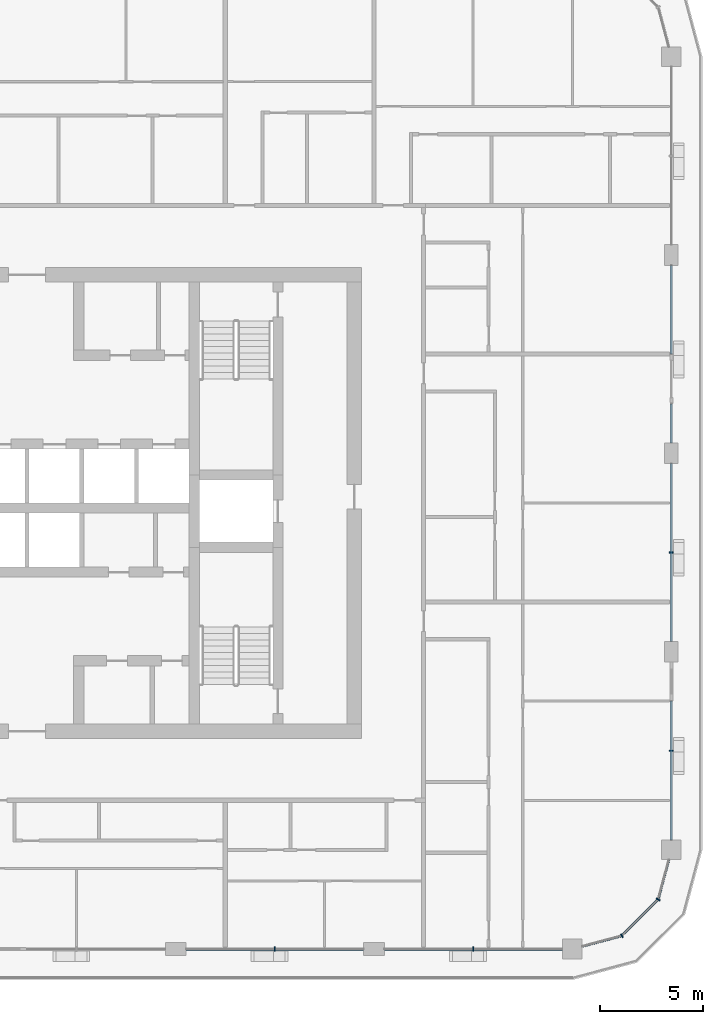
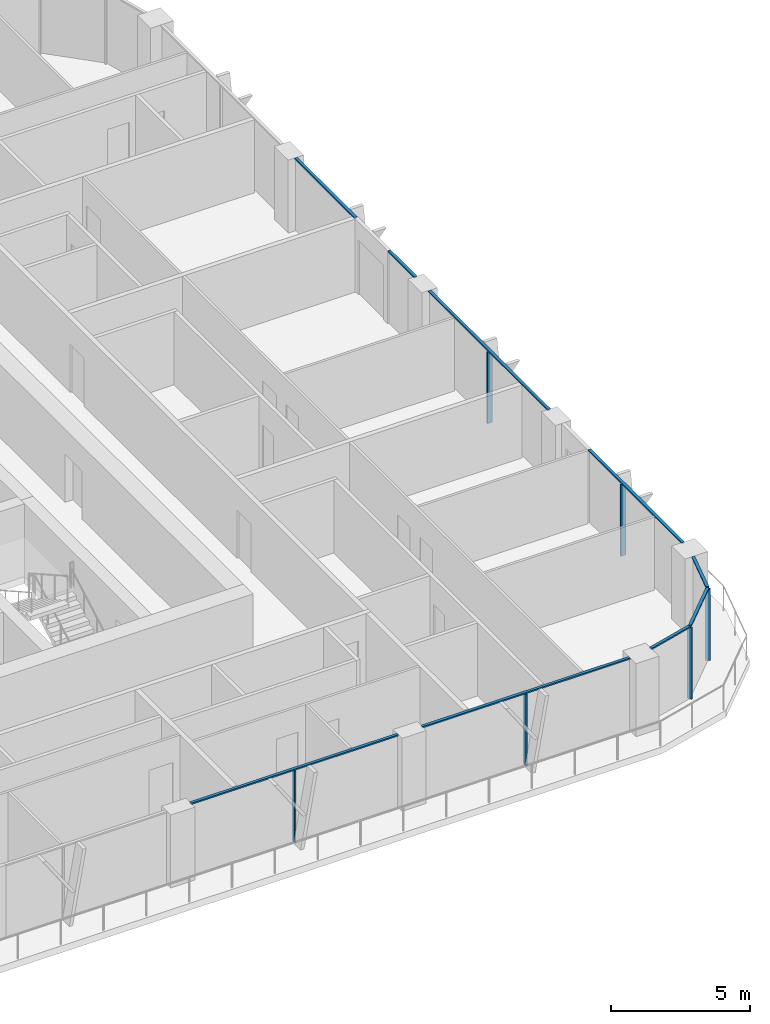
# One storey, part 4 of 23: 15 members, 6 elements without a shape of their own.
"""IFC4 building model written with IfcOpenShell, lengths in metres."""

from ifc_helpers import new_model, si_unit, direction, frame, origin, origin_2d, place, context, subcontext, project, spatial, rectangle, extrude, material, layer, layer_set, material_profile, profile_set, type_object, element, aggregate, save


model = new_model("IFC4")

# Units and contexts
model_context = context("Model", 3, precision=1e-05, world=origin(), true_north=direction((0.0, 1.0)))
body_context = subcontext(model_context, "Body", "Model", "MODEL_VIEW")
ifc_project = project(units=[si_unit("LENGTHUNIT", "METRE"), si_unit("AREAUNIT", "SQUARE_METRE"), si_unit("VOLUMEUNIT", "CUBIC_METRE"), si_unit("PLANEANGLEUNIT", "RADIAN"), si_unit("MASSUNIT", "GRAM", prefix="KILO")], contexts=[model_context])

# Site, building, storey
site_placement = place(None, origin())
site = spatial("IfcSite", under=ifc_project, at=site_placement, CompositionType="ELEMENT")
building_placement = place(site_placement, origin())
building = spatial("IfcBuilding", under=site, at=building_placement, Name="Madar Terraces", CompositionType="ELEMENT")
storey_placement = place(building_placement, frame((0.0, 0.0, 215.800048828125)))
storey = spatial("IfcBuildingStorey", under=building, at=storey_placement, Name="L56", CompositionType="ELEMENT", Elevation=215.800048828125)

# Curtain wall, member
ifc_material_1 = material(Name="Glass, ceramic frit dark grey, with black aluminium frame", Category="aluminium")
ifc_layer = layer(ifc_material_1, 0.199951171875)
ifc_layer_set = layer_set([ifc_layer], Name="Facade curtain wall, fritted glass")
curtain_wall_type = type_object("IfcCurtainWallType", Name="Facade curtain wall, fritted glass", PredefinedType="NOTDEFINED", material=ifc_layer_set)
curtain_wall_1_placement = place(storey_placement, origin())
curtain_wall_1 = element("IfcCurtainWall", 1, at=curtain_wall_1_placement, inside=storey, type_object=curtain_wall_type, Name="Outer skin curtain wall south bay 4", PredefinedType="NOTDEFINED")
ifc_material_2 = material(Name="Aluminium, black anodised", Category="aluminium")
ifc_material_profile_1 = material_profile(ifc_material_2, rectangle(XDim=0.199951171875, YDim=0.06005859375, at=origin_2d()), Name="Facade mullion 60x200")
ifc_profile_set_1 = profile_set([ifc_material_profile_1], Name="Aluminium, black anodised")
member_type_1 = type_object("IfcMemberType", Name="Facade mullion 60x200", PredefinedType="MULLION", material=ifc_profile_set_1)
member_1_placement = place(storey_placement, frame((43.199951171875, 4.800048828125, 0.0), z_axis=(0.0, 0.0, 1.0), x_axis=(0.0, 1.0, 0.0)))
member_1 = element("IfcMember", 2, at=member_1_placement, type_object=member_type_1, Name="Mullion 1", PredefinedType="MULLION", context=body_context, shape_type="SweptSolid", body=[
    extrude(rectangle(XDim=0.199951171875, YDim=0.06005859375, at=origin_2d()), origin(), (0.0, 0.0, 1.0), 3.139892578125),
])

curtain_wall_2_placement = place(storey_placement, origin())
curtain_wall_2 = element("IfcCurtainWall", 3, at=curtain_wall_2_placement, inside=storey, type_object=curtain_wall_type, Name="Outer skin curtain wall south bay 5", PredefinedType="NOTDEFINED")
member_2_placement = place(storey_placement, frame((52.800048828125, 4.800048828125, 0.0), z_axis=(0.0, 0.0, 1.0), x_axis=(0.0, 1.0, 0.0)))
member_2 = element("IfcMember", 4, at=member_2_placement, type_object=member_type_1, Name="Mullion 1", PredefinedType="MULLION", context=body_context, shape_type="SweptSolid", body=[
    extrude(rectangle(XDim=0.199951171875, YDim=0.06005859375, at=origin_2d()), origin(), (0.0, 0.0, 1.0), 3.139892578125),
])

curtain_wall_3_placement = place(storey_placement, origin())
curtain_wall_3 = element("IfcCurtainWall", 5, at=curtain_wall_3_placement, inside=storey, type_object=curtain_wall_type, Name="Outer skin curtain wall east bay 1", PredefinedType="NOTDEFINED")
member_3_placement = place(storey_placement, frame((62.39990234375, 14.39990234375, 0.0), z_axis=(0.0, 0.0, 1.0), x_axis=(-1.0, 0.0, 0.0)))
member_3 = element("IfcMember", 6, at=member_3_placement, type_object=member_type_1, Name="Mullion 1", PredefinedType="MULLION", context=body_context, shape_type="SweptSolid", body=[
    extrude(rectangle(XDim=0.199951171875, YDim=0.06005859375, at=origin_2d()), origin(), (0.0, 0.0, 1.0), 3.139892578125),
])

curtain_wall_4_placement = place(storey_placement, origin())
curtain_wall_4 = element("IfcCurtainWall", 7, at=curtain_wall_4_placement, inside=storey, type_object=curtain_wall_type, Name="Outer skin curtain wall east bay 2", PredefinedType="NOTDEFINED")
member_4_placement = place(storey_placement, frame((62.39990234375, 24.0, 0.0), z_axis=(0.0, 0.0, 1.0), x_axis=(-1.0, 0.0, 0.0)))
member_4 = element("IfcMember", 8, at=member_4_placement, type_object=member_type_1, Name="Mullion 1", PredefinedType="MULLION", context=body_context, shape_type="SweptSolid", body=[
    extrude(rectangle(XDim=0.199951171875, YDim=0.06005859375, at=origin_2d()), origin(), (0.0, 0.0, 1.0), 3.139892578125),
])

# Curtain wall, members
curtain_wall_5_placement = place(storey_placement, origin())
curtain_wall_5 = element("IfcCurtainWall", 9, at=curtain_wall_5_placement, inside=storey, type_object=curtain_wall_type, Name="Outer skin curtain wall south-east corner", PredefinedType="NOTDEFINED")
member_5_placement = place(storey_placement, frame((60.0, 5.443115234375, 0.0), z_axis=(0.0, 0.0, 1.0), x_axis=(-0.499999989586, 0.866025409797, 0.0)))
member_5 = element("IfcMember", 10, at=member_5_placement, type_object=member_type_1, Name="Mullion 1", PredefinedType="MULLION", context=body_context, shape_type="SweptSolid", body=[
    extrude(rectangle(XDim=0.199951171875, YDim=0.06005859375, at=origin_2d()), origin(), (0.0, 0.0, 1.0), 3.139892578125),
])
member_6_placement = place(storey_placement, frame((61.7568359375, 7.199951171875, 0.0), z_axis=(0.0, 0.0, 1.0), x_axis=(-0.866025409797, 0.499999989586, 0.0)))
member_6 = element("IfcMember", 11, at=member_6_placement, type_object=member_type_1, Name="Mullion 2", PredefinedType="MULLION", context=body_context, shape_type="SweptSolid", body=[
    extrude(rectangle(XDim=0.199951171875, YDim=0.06005859375, at=origin_2d()), origin(), (0.0, 0.0, 1.0), 3.139892578125),
])

# Member
ifc_material_3 = material(Name="Aluminium, black anodised", Category="aluminium")
ifc_material_profile_2 = material_profile(ifc_material_3, rectangle(XDim=0.1201171875, YDim=0.06005859375, at=origin_2d()), Name="Facade transom 60x120")
ifc_profile_set_2 = profile_set([ifc_material_profile_2], Name="Aluminium, black anodised")
member_type_2 = type_object("IfcMemberType", Name="Facade transom 60x120", PredefinedType="USERDEFINED", material=ifc_profile_set_2)
member_7_placement = place(storey_placement, frame((38.89990234375, 4.800048828125, 3.169921875), z_axis=(1.0, 0.0, 0.0), x_axis=(0.0, 1.0, 0.0)))
member_7 = element("IfcMember", 12, at=member_7_placement, type_object=member_type_2, Name="Transom 1", ObjectType="TRANSOM", PredefinedType="USERDEFINED", context=body_context, shape_type="SweptSolid", body=[
    extrude(rectangle(XDim=0.1201171875, YDim=0.06005859375, at=origin_2d()), origin(), (0.0, 0.0, 1.0), 8.60009765625),
])

aggregate(curtain_wall_1, [member_1, member_7])

member_8_placement = place(storey_placement, frame((48.5, 4.800048828125, 3.169921875), z_axis=(1.0, 0.0, 0.0), x_axis=(0.0, 1.0, 0.0)))
member_8 = element("IfcMember", 13, at=member_8_placement, type_object=member_type_2, Name="Transom 1", ObjectType="TRANSOM", PredefinedType="USERDEFINED", context=body_context, shape_type="SweptSolid", body=[
    extrude(rectangle(XDim=0.1201171875, YDim=0.06005859375, at=origin_2d()), origin(), (0.0, 0.0, 1.0), 8.625),
])

aggregate(curtain_wall_2, [member_2, member_8])

member_9_placement = place(storey_placement, frame((62.39990234375, 10.074951171875, 3.169921875), z_axis=(0.0, 1.0, 0.0), x_axis=(-1.0, 0.0, 0.0)))
member_9 = element("IfcMember", 14, at=member_9_placement, type_object=member_type_2, Name="Transom 1", ObjectType="TRANSOM", PredefinedType="USERDEFINED", context=body_context, shape_type="SweptSolid", body=[
    extrude(rectangle(XDim=0.1201171875, YDim=0.06005859375, at=origin_2d()), origin(), (0.0, 0.0, 1.0), 6.72509765625),
])

aggregate(curtain_wall_3, [member_3, member_9])

member_10_placement = place(storey_placement, frame((62.39990234375, 19.699951171875, 3.169921875), z_axis=(0.0, 1.0, 0.0), x_axis=(-1.0, 0.0, 0.0)))
member_10 = element("IfcMember", 15, at=member_10_placement, type_object=member_type_2, Name="Transom 1", ObjectType="TRANSOM", PredefinedType="USERDEFINED", context=body_context, shape_type="SweptSolid", body=[
    extrude(rectangle(XDim=0.1201171875, YDim=0.06005859375, at=origin_2d()), origin(), (0.0, 0.0, 1.0), 8.60009765625),
])

aggregate(curtain_wall_4, [member_4, member_10])

# Curtain wall, members
curtain_wall_6_placement = place(storey_placement, origin())
curtain_wall_6 = element("IfcCurtainWall", 16, at=curtain_wall_6_placement, inside=storey, type_object=curtain_wall_type, Name="Outer skin curtain wall east bay 3", PredefinedType="NOTDEFINED")
member_11_placement = place(storey_placement, frame((62.39990234375, 29.300048828125, 3.169921875), z_axis=(0.0, 1.0, 0.0), x_axis=(-1.0, 0.0, 0.0)))
member_11 = element("IfcMember", 17, at=member_11_placement, type_object=member_type_2, Name="Transom 1", ObjectType="TRANSOM", PredefinedType="USERDEFINED", context=body_context, shape_type="SweptSolid", body=[
    extrude(rectangle(XDim=0.1201171875, YDim=0.06005859375, at=origin_2d()), origin(), (0.0, 0.0, 1.0), 1.89990234375),
])
member_12_placement = place(storey_placement, frame((62.39990234375, 33.60009765625, 3.169921875), z_axis=(0.0, 1.0, 0.0), x_axis=(-1.0, 0.0, 0.0)))
member_12 = element("IfcMember", 18, at=member_12_placement, type_object=member_type_2, Name="Transom 2", ObjectType="TRANSOM", PredefinedType="USERDEFINED", context=body_context, shape_type="SweptSolid", body=[
    extrude(rectangle(XDim=0.1201171875, YDim=0.06005859375, at=origin_2d()), origin(), (0.0, 0.0, 1.0), 4.2998046875),
])
aggregate(curtain_wall_6, [member_11, member_12])

# Member
member_13_placement = place(storey_placement, frame((58.074951171875, 4.92724609375, 3.169921875), z_axis=(0.96592251241, 0.258831412352, 0.0), x_axis=(-0.258831412352, 0.96592251241, 0.0)))
member_13 = element("IfcMember", 19, at=member_13_placement, type_object=member_type_2, Name="Transom 1", ObjectType="TRANSOM", PredefinedType="USERDEFINED", context=body_context, shape_type="SweptSolid", body=[
    extrude(rectangle(XDim=0.1201171875, YDim=0.06005859375, at=origin_2d()), origin(), (0.0, 0.0, 1.0), 1.962890625),
])

member_14_placement = place(storey_placement, frame((60.021240234375, 5.46435546875, 3.169921875), z_axis=(0.707106781187, 0.707106781187, 0.0), x_axis=(-0.707106781187, 0.707106781187, 0.0)))
member_14 = element("IfcMember", 20, at=member_14_placement, type_object=member_type_2, Name="Transom 2", ObjectType="TRANSOM", PredefinedType="USERDEFINED", context=body_context, shape_type="SweptSolid", body=[
    extrude(rectangle(XDim=0.1201171875, YDim=0.06005859375, at=origin_2d()), origin(), (0.0, 0.0, 1.0), 2.424560546875),
])

member_15_placement = place(storey_placement, frame((61.7646484375, 7.22900390625, 3.169921875), z_axis=(0.258831412352, 0.96592251241, 0.0), x_axis=(-0.96592251241, 0.258831412352, 0.0)))
member_15 = element("IfcMember", 21, at=member_15_placement, type_object=member_type_2, Name="Transom 3", ObjectType="TRANSOM", PredefinedType="USERDEFINED", context=body_context, shape_type="SweptSolid", body=[
    extrude(rectangle(XDim=0.1201171875, YDim=0.06005859375, at=origin_2d()), origin(), (0.0, 0.0, 1.0), 1.962890625),
])

aggregate(curtain_wall_5, [member_5, member_13, member_6, member_14, member_15])

save(model, "model.ifc")
